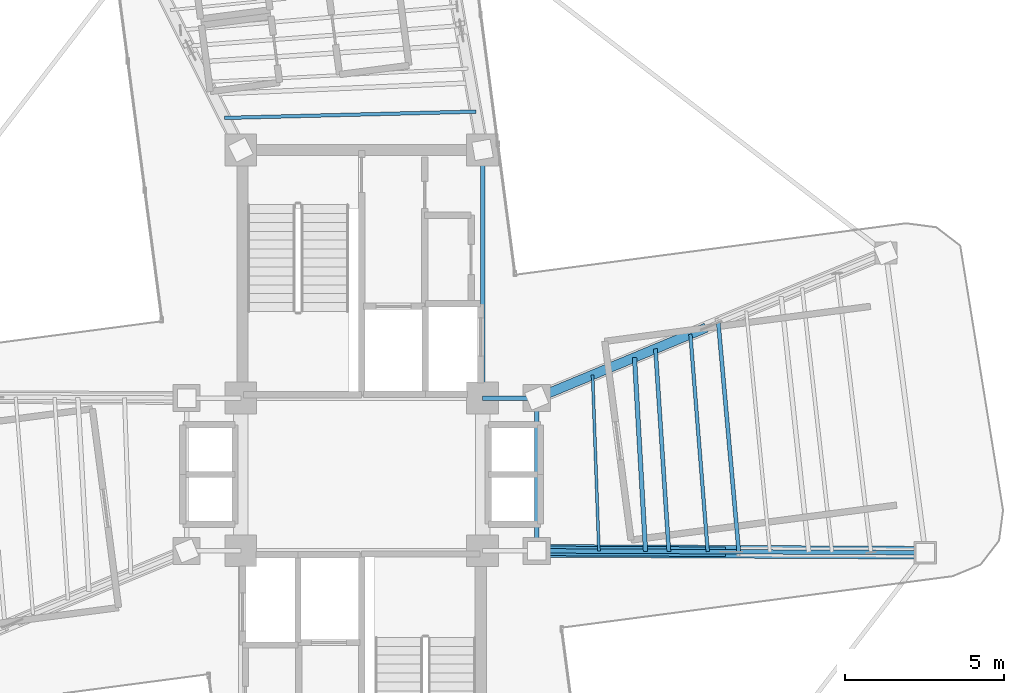
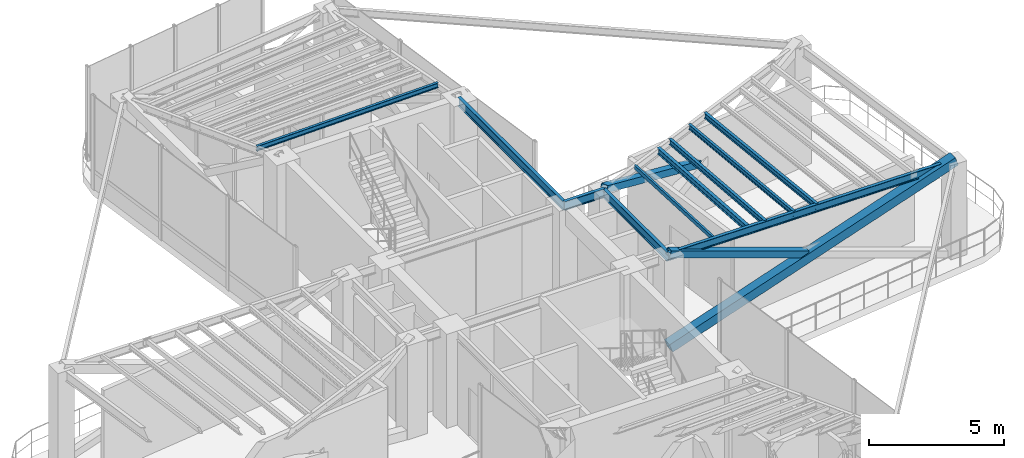
# One storey, part 6 of 17: 10 beams, 3 members.
"""IFC4 building model written with IfcOpenShell, lengths in metres."""

from ifc_helpers import new_model, si_unit, direction, frame, origin, origin_2d, place, context, subcontext, project, spatial, hollow_rectangle, i_section, extrude, source, transform, mapped, material, material_profile, profile_set, type_object, element, save


model = new_model("IFC4")

# Units and contexts
model_context = context("Model", 3, precision=1e-05, world=origin(), true_north=direction((0.0, 1.0)))
body_context = subcontext(model_context, "Body", "Model", "MODEL_VIEW")
ifc_project = project(units=[si_unit("LENGTHUNIT", "METRE"), si_unit("AREAUNIT", "SQUARE_METRE"), si_unit("VOLUMEUNIT", "CUBIC_METRE"), si_unit("PLANEANGLEUNIT", "RADIAN"), si_unit("MASSUNIT", "GRAM", prefix="KILO")], contexts=[model_context])

# Site, building, storey
site_placement = place(None, origin())
site = spatial("IfcSite", under=ifc_project, at=site_placement, CompositionType="ELEMENT")
building_placement = place(site_placement, origin())
building = spatial("IfcBuilding", under=site, at=building_placement, Name="Sahyath Konkavel Grand Hotel", CompositionType="ELEMENT")
storey_placement = place(building_placement, frame((0.0, 0.0, 264.60009765625)))
storey = spatial("IfcBuildingStorey", under=building, at=storey_placement, Name="L74", CompositionType="ELEMENT", Elevation=264.60009765625)

# Beams
ifc_material_1 = material(Name="Steel E350", Category="steel")
ifc_material_profile_1 = material_profile(ifc_material_1, i_section(OverallWidth=0.139892578125, OverallDepth=0.39990234375, WebThickness=0.0087890625, FlangeThickness=0.01611328125, FilletRadius=0.013916015625, at=origin_2d()), Name="ISMB 400")
ifc_profile_set_1 = profile_set([ifc_material_profile_1], Name="Steel E350")
beam_type_1 = type_object("IfcBeamType", Name="BM-ISMB400", PredefinedType="BEAM", material=ifc_profile_set_1)
shared_shape_1 = source(origin(), body_context, "Body", "SweptSolid", [
    extrude(i_section(OverallWidth=0.139892578125, OverallDepth=0.39990234375, WebThickness=0.0087890625, FlangeThickness=0.01611328125, FilletRadius=0.013916015625, at=origin_2d()), origin(), (0.0, 0.0, 1.0), 7.800048828125),
])
beam_1_placement = place(storey_placement, frame((3.800048828125, 2.39990234375, 4.059814453125), z_axis=(0.0, 1.0, 0.0), x_axis=(-1.0, 0.0, 0.0)))
element("IfcBeam", 1, at=beam_1_placement, inside=storey, type_object=beam_type_1, Name="str:bm:L74:NC-E", PredefinedType="BEAM", context=body_context, shape_type="MappedRepresentation", body=[
    mapped(shared_shape_1, transform((0.0, 0.0, 0.0), scale=1.0)),
])
shared_shape_2 = source(origin(), body_context, "Body", "SweptSolid", [
    extrude(i_section(OverallWidth=0.139892578125, OverallDepth=0.39990234375, WebThickness=0.0087890625, FlangeThickness=0.01611328125, FilletRadius=0.013916015625, at=origin_2d()), origin(), (0.0, 0.0, 1.0), 1.699951171875),
])
beam_2_placement = place(storey_placement, frame((3.800048828125, 2.39990234375, 4.059814453125), z_axis=(1.0, 0.0, 0.0), x_axis=(0.0, 1.0, 0.0)))
element("IfcBeam", 2, at=beam_2_placement, inside=storey, type_object=beam_type_1, Name="str:bm:L74:HB-NE", PredefinedType="BEAM", context=body_context, shape_type="MappedRepresentation", body=[
    mapped(shared_shape_2, transform((0.0, 0.0, 0.0), scale=1.0)),
])
shared_shape_3 = source(origin(), body_context, "Body", "SweptSolid", [
    extrude(i_section(OverallWidth=0.139892578125, OverallDepth=0.39990234375, WebThickness=0.0087890625, FlangeThickness=0.01611328125, FilletRadius=0.013916015625, at=origin_2d()), origin(), (0.0, 0.0, 1.0), 4.7998046875),
])
beam_3_placement = place(storey_placement, frame((5.5, -2.39990234375, 4.059814453125), z_axis=(0.0, 1.0, 0.0), x_axis=(-1.0, 0.0, 0.0)))
element("IfcBeam", 3, at=beam_3_placement, inside=storey, type_object=beam_type_1, Name="str:bm:L74:HB-E", PredefinedType="BEAM", context=body_context, shape_type="MappedRepresentation", body=[
    mapped(shared_shape_3, transform((0.0, 0.0, 0.0), scale=1.0)),
])
ifc_material_profile_2 = material_profile(ifc_material_1, i_section(OverallWidth=0.139892578125, OverallDepth=0.35009765625, WebThickness=0.008056640625, FlangeThickness=0.01416015625, FilletRadius=0.013916015625, at=origin_2d()), Name="ISMB 350")
ifc_profile_set_2 = profile_set([ifc_material_profile_2], Name="Steel E350")
beam_type_2 = type_object("IfcBeamType", Name="BM-ISMB350", PredefinedType="BEAM", material=ifc_profile_set_2)
shared_shape_4 = source(origin(), body_context, "Body", "SweptSolid", [
    extrude(i_section(OverallWidth=0.139892578125, OverallDepth=0.35009765625, WebThickness=0.008056640625, FlangeThickness=0.01416015625, FilletRadius=0.013916015625, at=origin_2d()), origin(), (0.0, 0.0, 1.0), 12.212646484375),
])
beam_4_placement = place(storey_placement, frame((5.5, -2.39990234375, 4.0849609375), z_axis=(0.999988297706, -0.004837814722, 0.0), x_axis=(0.004837814722, 0.999988297706, 0.0)))
element("IfcBeam", 4, at=beam_4_placement, inside=storey, type_object=beam_type_2, Name="L74 Cruciform Radial Girder EA", PredefinedType="BEAM", context=body_context, shape_type="MappedRepresentation", body=[
    mapped(shared_shape_4, transform((0.0, 0.0, 0.0), scale=1.0)),
])
ifc_material_profile_3 = material_profile(ifc_material_1, i_section(OverallWidth=0.139892578125, OverallDepth=0.27490234375, WebThickness=0.00634765625, FlangeThickness=0.0087890625, FilletRadius=0.012939453125, at=origin_2d()), Name="ISLB 275")
ifc_profile_set_3 = profile_set([ifc_material_profile_3], Name="Steel E350")
beam_type_3 = type_object("IfcBeamType", Name="BM-ISLB275", PredefinedType="BEAM", material=ifc_profile_set_3)
shared_shape_5 = source(origin(), body_context, "Body", "SweptSolid", [
    extrude(i_section(OverallWidth=0.139892578125, OverallDepth=0.27490234375, WebThickness=0.00634765625, FlangeThickness=0.0087890625, FilletRadius=0.012939453125, at=origin_2d()), origin(), (0.0, 0.0, 1.0), 6.10302734375),
])
beam_5_placement = place(storey_placement, frame((8.91943359375, -2.41650390625, 4.122314453125), z_axis=(-0.056883465537, 0.99838082481, 0.0), x_axis=(-0.99838082481, -0.056883465537, 0.0)))
element("IfcBeam", 5, at=beam_5_placement, inside=storey, type_object=beam_type_3, Name="L74 Secondary Floor Beam E-1", PredefinedType="BEAM", context=body_context, shape_type="MappedRepresentation", body=[
    mapped(shared_shape_5, transform((0.0, 0.0, 0.0), scale=1.0)),
])
ifc_material_profile_4 = material_profile(ifc_material_1, i_section(OverallWidth=0.125, OverallDepth=0.25, WebThickness=0.0068359375, FlangeThickness=0.012451171875, FilletRadius=0.012939453125, at=origin_2d()), Name="ISMB 250")
ifc_profile_set_4 = profile_set([ifc_material_profile_4], Name="Steel E350")
beam_type_4 = type_object("IfcBeamType", Name="BM-ISMB250", PredefinedType="BEAM", material=ifc_profile_set_4)
shared_shape_6 = source(origin(), body_context, "Body", "SweptSolid", [
    extrude(i_section(OverallWidth=0.125, OverallDepth=0.25, WebThickness=0.0068359375, FlangeThickness=0.012451171875, FilletRadius=0.012939453125, at=origin_2d()), origin(), (0.0, 0.0, 1.0), 7.23046875),
])
beam_6_placement = place(storey_placement, frame((11.8505859375, -2.4306640625, 4.135009765625), z_axis=(-0.089174799421, 0.996015991412, 0.0), x_axis=(-0.996015991412, -0.089174799421, 0.0)))
element("IfcBeam", 6, at=beam_6_placement, inside=storey, type_object=beam_type_4, Name="L74 Secondary Floor Beam E-2", PredefinedType="BEAM", context=body_context, shape_type="MappedRepresentation", body=[
    mapped(shared_shape_6, transform((0.0, 0.0, 0.0), scale=1.0)),
])

# Members
ifc_material_2 = material(Name="Steel E450", Category="steel")
ifc_material_profile_5 = material_profile(ifc_material_2, hollow_rectangle(XDim=0.39990234375, YDim=0.39990234375, WallThickness=0.02001953125, at=origin_2d()), Name="SHS 400x400x20")
ifc_profile_set_5 = profile_set([ifc_material_profile_5], Name="Steel E450")
member_type_1 = type_object("IfcMemberType", Name="BR-SHS400", PredefinedType="BRACE", material=ifc_profile_set_5)
shared_shape_7 = source(origin(), body_context, "Body", "SweptSolid", [
    extrude(hollow_rectangle(XDim=0.39990234375, YDim=0.39990234375, WallThickness=0.02001953125, at=origin_2d()), origin(), (0.0, 0.0, 1.0), 12.927734375),
])
member_1_placement = place(storey_placement, frame((5.5, -2.39990234375, 0.010009765625), z_axis=(0.944674038813, -0.004570211455, 0.327978769983), x_axis=(0.004837814722, 0.999988297706, 0.0)))
element("IfcMember", 7, at=member_1_placement, inside=storey, type_object=member_type_1, Name="L74 Core Outrigger Truss EA Continuous Diagonal 1", PredefinedType="BRACE", context=body_context, shape_type="MappedRepresentation", body=[
    mapped(shared_shape_7, transform((0.0, 0.0, 0.0), scale=1.0)),
])
ifc_material_profile_6 = material_profile(ifc_material_2, hollow_rectangle(XDim=0.300048828125, YDim=0.300048828125, WallThickness=0.01611328125, at=origin_2d()), Name="SHS 300x300x16")
ifc_profile_set_6 = profile_set([ifc_material_profile_6], Name="Steel E450")
member_type_2 = type_object("IfcMemberType", Name="BR-SHS300", PredefinedType="BRACE", material=ifc_profile_set_6)
shared_shape_8 = source(origin(), body_context, "Body", "SweptSolid", [
    extrude(hollow_rectangle(XDim=0.300048828125, YDim=0.300048828125, WallThickness=0.01611328125, at=origin_2d()), origin(), (0.0, 0.0, 1.0), 6.223876953125),
])
member_2_placement = place(storey_placement, frame((11.37939453125, -2.428466796875, 2.20849609375), z_axis=(-0.944661351428, 0.004589543149, 0.328015041136), x_axis=(-0.004858343127, -0.999988198181, 0.0)))
element("IfcMember", 8, at=member_2_placement, inside=storey, type_object=member_type_2, Name="L74 Core Outrigger Truss EA Split Upper Diagonal 2B", PredefinedType="BRACE", context=body_context, shape_type="MappedRepresentation", body=[
    mapped(shared_shape_8, transform((0.0, 0.0, 0.0), scale=1.0)),
])
shared_shape_9 = source(origin(), body_context, "Body", "SweptSolid", [
    extrude(hollow_rectangle(XDim=0.300048828125, YDim=0.300048828125, WallThickness=0.01611328125, at=origin_2d()), origin(), (0.0, 0.0, 1.0), 6.068115234375),
])
member_3_placement = place(storey_placement, frame((10.777587890625, 4.593017578125, 2.210693359375), z_axis=(-0.869731045214, -0.361418974842, 0.336071768547), x_axis=(0.383738601077, -0.923441761046, 0.0)))
element("IfcMember", 9, at=member_3_placement, inside=storey, type_object=member_type_2, Name="L74 Core Outrigger Truss EB Split Upper Diagonal 2B", PredefinedType="BRACE", context=body_context, shape_type="MappedRepresentation", body=[
    mapped(shared_shape_9, transform((0.0, 0.0, 0.0), scale=1.0)),
])

# Beams
ifc_material_profile_7 = material_profile(ifc_material_1, hollow_rectangle(XDim=0.090087890625, YDim=0.179931640625, WallThickness=0.008056640625, at=origin_2d()), Name="RHS 180x90x8")
ifc_profile_set_7 = profile_set([ifc_material_profile_7], Name="Steel E350")
beam_type_5 = type_object("IfcBeamType", Name="BM-RHS180", PredefinedType="BEAM", material=ifc_profile_set_7)
shared_shape_10 = source(origin(), body_context, "Body", "SweptSolid", [
    extrude(hollow_rectangle(XDim=0.090087890625, YDim=0.179931640625, WallThickness=0.008056640625, at=origin_2d()), origin(), (0.0, 0.0, 1.0), 5.54248046875),
])
beam_7_placement = place(storey_placement, frame((7.4541015625, -2.409423828125, 4.169921875), z_axis=(-0.035812512973, 0.999358526213, 0.0), x_axis=(-0.999358526213, -0.035812512973, 0.0)))
element("IfcBeam", 10, at=beam_7_placement, inside=storey, type_object=beam_type_5, Name="L74 Composite Deck Sub-Beam E-1", PredefinedType="BEAM", context=body_context, shape_type="MappedRepresentation", body=[
    mapped(shared_shape_10, transform((0.0, 0.0, 0.0), scale=1.0)),
])
shared_shape_11 = source(origin(), body_context, "Body", "SweptSolid", [
    extrude(i_section(OverallWidth=0.125, OverallDepth=0.25, WebThickness=0.0068359375, FlangeThickness=0.012451171875, FilletRadius=0.012939453125, at=origin_2d()), origin(), (0.0, 0.0, 1.0), 6.38427734375),
])
beam_8_placement = place(storey_placement, frame((9.652099609375, -2.420166015625, 4.135009765625), z_axis=(-0.066003764972, 0.99781937394, 0.0), x_axis=(-0.99781937394, -0.066003764972, 0.0)))
element("IfcBeam", 11, at=beam_8_placement, inside=storey, type_object=beam_type_4, Name="L74 Composite Deck Sub-Beam E-2", PredefinedType="BEAM", context=body_context, shape_type="MappedRepresentation", body=[
    mapped(shared_shape_11, transform((0.0, 0.0, 0.0), scale=1.0)),
])
ifc_material_profile_8 = material_profile(ifc_material_1, i_section(OverallWidth=0.110107421875, OverallDepth=0.22509765625, WebThickness=0.006591796875, FlangeThickness=0.01171875, FilletRadius=0.011962890625, at=origin_2d()), Name="ISMB 225")
ifc_profile_set_8 = profile_set([ifc_material_profile_8], Name="Steel E350")
beam_type_6 = type_object("IfcBeamType", Name="BM-ISMB225", PredefinedType="BEAM", material=ifc_profile_set_8)
shared_shape_12 = source(origin(), body_context, "Body", "SweptSolid", [
    extrude(i_section(OverallWidth=0.110107421875, OverallDepth=0.22509765625, WebThickness=0.006591796875, FlangeThickness=0.01171875, FilletRadius=0.011962890625, at=origin_2d()), origin(), (0.0, 0.0, 1.0), 6.85400390625),
])
beam_9_placement = place(storey_placement, frame((10.87353515625, -2.426025390625, 4.1474609375), z_axis=(-0.079610726282, 0.996826029085, 0.0), x_axis=(-0.996826029085, -0.079610726282, 0.0)))
element("IfcBeam", 12, at=beam_9_placement, inside=storey, type_object=beam_type_6, Name="L74 Composite Deck Sub-Beam E-3", PredefinedType="BEAM", context=body_context, shape_type="MappedRepresentation", body=[
    mapped(shared_shape_12, transform((0.0, 0.0, 0.0), scale=1.0)),
])
shared_shape_13 = source(origin(), body_context, "Body", "SweptSolid", [
    extrude(i_section(OverallWidth=0.110107421875, OverallDepth=0.22509765625, WebThickness=0.006591796875, FlangeThickness=0.01171875, FilletRadius=0.011962890625, at=origin_2d()), origin(), (0.0, 0.0, 1.0), 7.893310546875),
])
beam_10_placement = place(storey_placement, frame((3.58544921875, 11.402099609375, 4.1474609375), z_axis=(-0.999683790083, -0.025145970772, 0.0), x_axis=(0.025145970772, -0.999683790083, 0.0)))
element("IfcBeam", 13, at=beam_10_placement, inside=storey, type_object=beam_type_6, Name="L74 Composite Deck Sub-Beam N-1", PredefinedType="BEAM", context=body_context, shape_type="MappedRepresentation", body=[
    mapped(shared_shape_13, transform((0.0, 0.0, 0.0), scale=1.0)),
])

save(model, "model.ifc")
